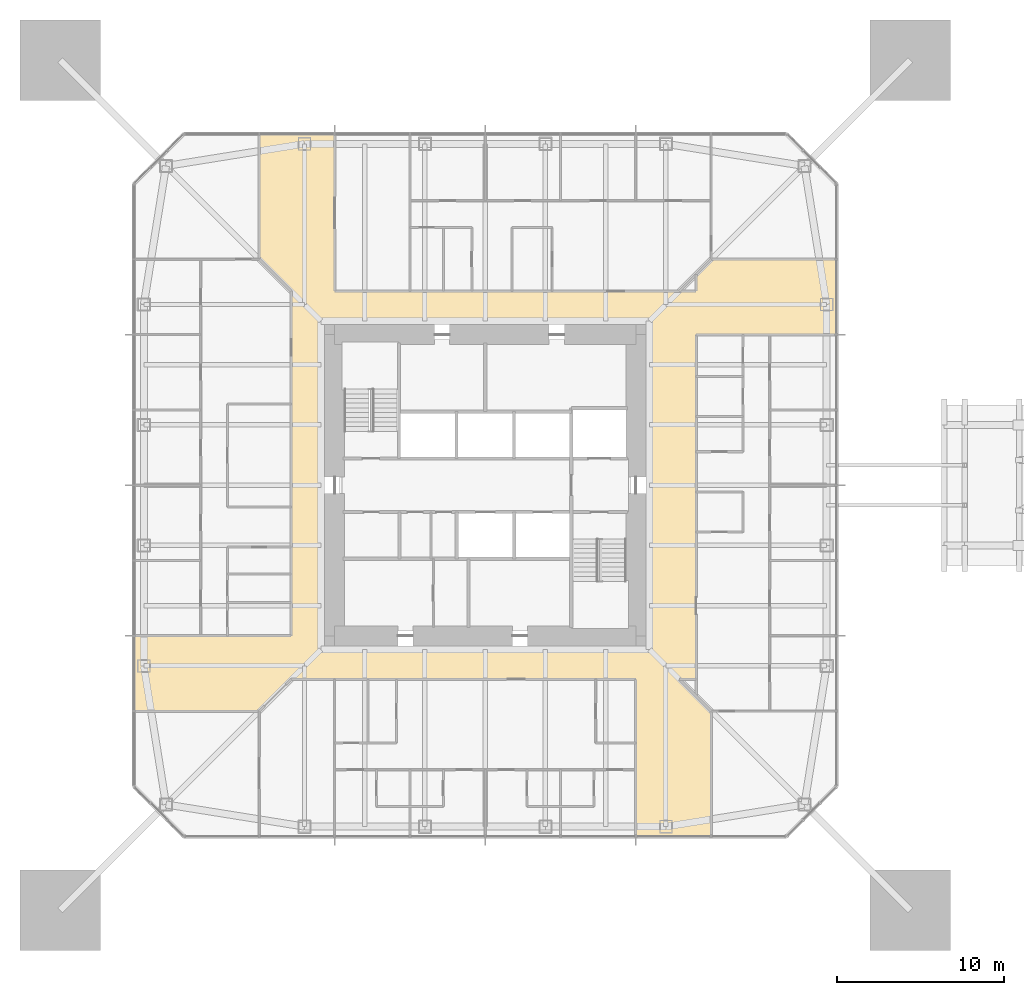
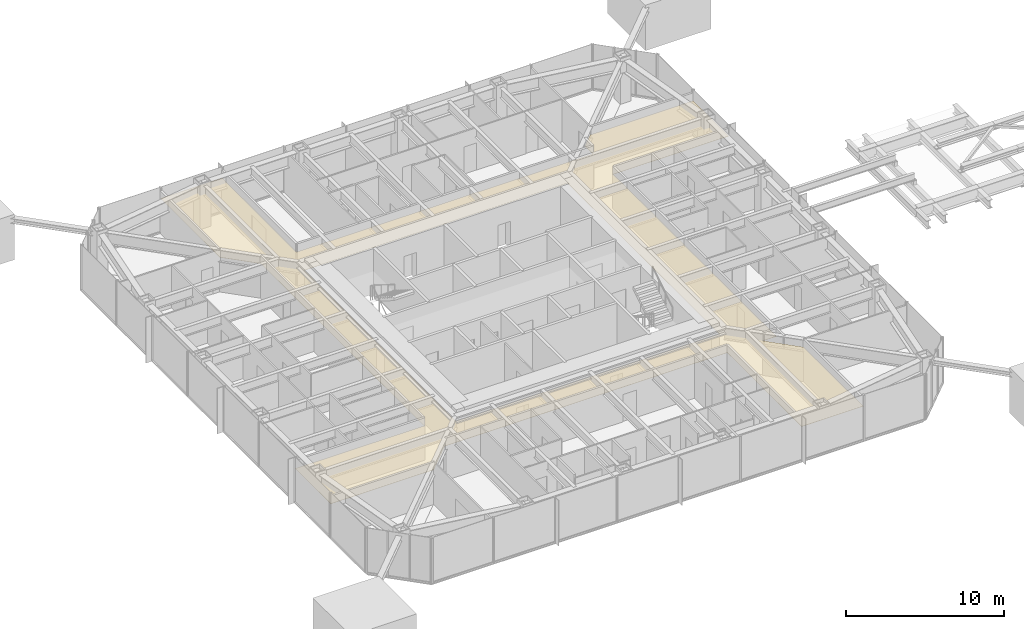
# One storey, part 24 of 27: 1 covering.
"""IFC4 building model written with IfcOpenShell, lengths in metres."""

from ifc_helpers import new_model, si_unit, direction, frame, origin, place, context, subcontext, project, spatial, polyline, outline, extrude, material, layer, layer_set, type_object, element, save


model = new_model("IFC4")

# Units and contexts
model_context = context("Model", 3, precision=1e-05, world=origin(), true_north=direction((0.0, 1.0)))
body_context = subcontext(model_context, "Body", "Model", "MODEL_VIEW")
ifc_project = project(units=[si_unit("LENGTHUNIT", "METRE"), si_unit("AREAUNIT", "SQUARE_METRE"), si_unit("VOLUMEUNIT", "CUBIC_METRE"), si_unit("PLANEANGLEUNIT", "RADIAN"), si_unit("MASSUNIT", "GRAM", prefix="KILO")], contexts=[model_context])

# Site, building, storey
site_placement = place(None, origin())
site = spatial("IfcSite", under=ifc_project, at=site_placement, CompositionType="ELEMENT")
building_placement = place(site_placement, origin())
building = spatial("IfcBuilding", under=site, at=building_placement, Name="Iwan Alto Co-Living Towers", CompositionType="ELEMENT")
storey_placement = place(building_placement, frame((0.0, 0.0, 94.5)))
storey = spatial("IfcBuildingStorey", under=building, at=storey_placement, Name="L25", CompositionType="ELEMENT", Elevation=94.5)

# Covering
ifc_material = material(Name="Gypsum plasterboard on steel grid", Category="steel")
ifc_layer = layer(ifc_material, 0.014892578125)
ifc_layer_set = layer_set([ifc_layer], Name="SUSPENDED PLASTERBOARD CEILING 15")
covering_type = type_object("IfcCoveringType", Name="SUSPENDED PLASTERBOARD CEILING 15", PredefinedType="CEILING", material=ifc_layer_set)
covering_placement = place(storey_placement, frame((0.0, 0.0, 2.60009765625)))
element("IfcCovering", 1, at=covering_placement, inside=storey, type_object=covering_type, Name="Ceiling Corridor L25", PredefinedType="CEILING", context=body_context, shape_type="SweptSolid", body=[
    extrude(outline(polyline([(13.5, -21.0), (9.0, -21.0), (9.0, -11.60009765625), (-11.60009765625, -11.60009765625), (-13.5, -13.5), (-21.0, -13.5), (-21.0, -9.0), (-11.60009765625, -9.0), (-11.60009765625, 11.60009765625), (-13.5, 13.5), (-13.5, 21.0), (-9.0, 21.0), (-9.0, 11.60009765625), (12.60009765625, 11.60009765625), (12.60009765625, 12.60009765625), (13.5, 13.5), (21.0, 13.5), (21.0, 9.0), (12.60009765625, 9.0), (12.60009765625, -11.60009765625), (11.60009765625, -11.60009765625), (13.5, -13.5), (13.5, -21.0)]), holes=[polyline([(9.60009765625, -9.60009765625), (9.60009765625, 9.60009765625), (-9.60009765625, 9.60009765625), (-9.60009765625, -9.60009765625), (9.60009765625, -9.60009765625)])]), origin(), (0.0, 0.0, 1.0), 0.014892578125),
])

save(model, "model.ifc")
